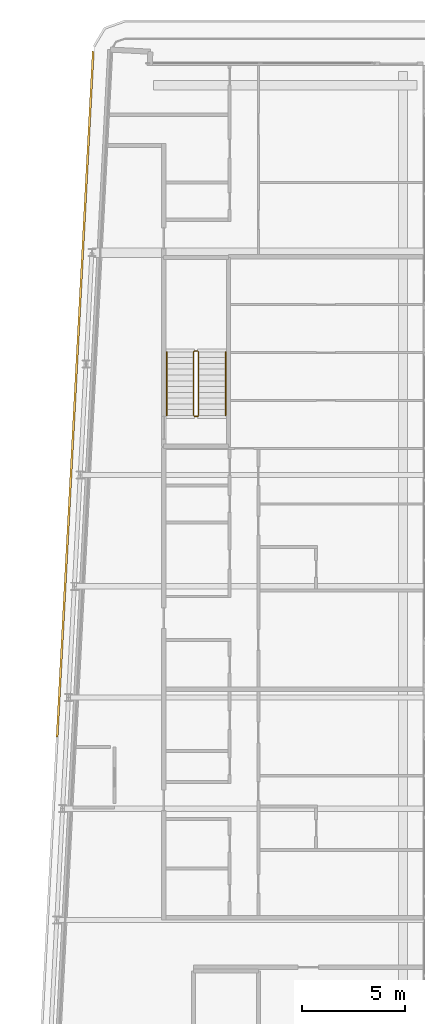
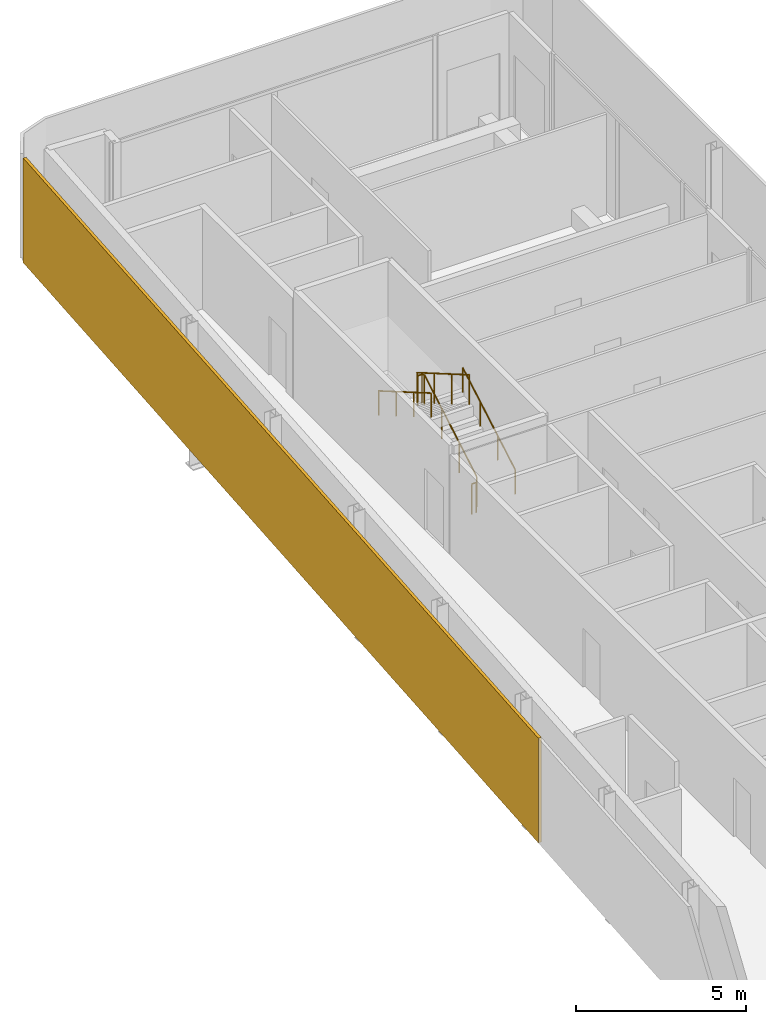
# One storey, part 16 of 18: 4 railings, 1 shading device.
"""IFC4 building model written with IfcOpenShell, lengths in metres."""

from ifc_helpers import new_model, si_unit, direction, frame, origin, origin_2d, place, context, subcontext, project, spatial, rectangle, circle, extrude, material, layer, layer_set, type_object, element, save


model = new_model("IFC4")

# Units and contexts
model_context = context("Model", 3, precision=1e-05, world=origin(), true_north=direction((0.0, 1.0)))
body_context = subcontext(model_context, "Body", "Model", "MODEL_VIEW")
ifc_project = project(units=[si_unit("LENGTHUNIT", "METRE"), si_unit("AREAUNIT", "SQUARE_METRE"), si_unit("VOLUMEUNIT", "CUBIC_METRE"), si_unit("PLANEANGLEUNIT", "RADIAN"), si_unit("MASSUNIT", "GRAM", prefix="KILO")], contexts=[model_context])

# Site, building, storey
site_placement = place(None, origin())
site = spatial("IfcSite", under=ifc_project, at=site_placement, CompositionType="ELEMENT")
building_placement = place(site_placement, origin())
building = spatial("IfcBuilding", under=site, at=building_placement, Name="Kheshtan School and Residences Tower", CompositionType="ELEMENT")
storey_placement = place(building_placement, frame((0.0, 0.0, 369.5)))
storey = spatial("IfcBuildingStorey", under=building, at=storey_placement, Name="L87", CompositionType="ELEMENT", Elevation=369.5)

# Shading device
ifc_material_1 = material(Name="Terracotta baguette, extruded ceramic", Category="masonry")
ifc_layer = layer(ifc_material_1, 0.10009765625)
ifc_layer_set = layer_set([ifc_layer], Name="Ledge screen, terracotta baguettes")
shading_device_type = type_object("IfcShadingDeviceType", Name="Ledge screen, terracotta baguettes", PredefinedType="USERDEFINED", material=ifc_layer_set)
shading_device_placement = place(storey_placement, frame((28.9990234375, 81.93408203125, 0.0), z_axis=(0.0, 0.0, 1.0), x_axis=(0.052562536748, 0.998617634398, 0.0)))
element("IfcShadingDevice", 1, at=shading_device_placement, inside=storey, type_object=shading_device_type, Name="Screen L87 5", ObjectType="BAGUETTE", PredefinedType="USERDEFINED", context=body_context, shape_type="SweptSolid", body=[
    extrude(rectangle(XDim=33.341064453125, YDim=0.10009765625, at=origin_2d()), origin(), (0.0, 0.0, 1.0), 3.75),
])

# Railings
ifc_material_2 = material(Name="Stainless steel balustrade", Category="steel")
railing_type_1 = type_object("IfcRailingType", Name="Stair guard 1100", PredefinedType="GUARDRAIL", material=ifc_material_2)
railing_1_placement = place(storey_placement, frame((35.0, 80.89990234375, 0.16259765625)))
element("IfcRailing", 2, at=railing_1_placement, inside=storey, type_object=railing_type_1, Name="L87 ST3 stair guard 1", PredefinedType="GUARDRAIL", context=body_context, shape_type="SweptSolid", body=[
    extrude(circle(Radius=0.02392578125, at=origin_2d()), frame((0.0, 0.0, 1.076171875), z_axis=(0.0, 0.864920483161, 0.501908913857), x_axis=(-1.0, 0.0, 0.0)), (0.0, 0.0, 1.0), 3.56103515625),
    extrude(circle(Radius=0.02392578125, at=origin_2d()), frame((0.0, 3.080078125, 2.86328125), z_axis=(-0.707106781187, 0.707106781187, 0.0), x_axis=(-0.707106781187, -0.707106781187, 0.0)), (0.0, 0.0, 1.0), 0.07080078125),
    extrude(circle(Radius=0.02392578125, at=origin_2d()), frame((-0.050048828125, 3.130126953125, 2.86328125), z_axis=(-1.0, 0.0, 0.0), x_axis=(0.0, -1.0, 0.0)), (0.0, 0.0, 1.0), 0.14990234375),
    extrude(circle(Radius=0.02392578125, at=origin_2d()), frame((-0.199951171875, 3.130126953125, 2.86328125), z_axis=(-0.282227285176, -0.282227285176, 0.916894497205), x_axis=(0.707106781187, -0.707106781187, 0.0)), (0.0, 0.0, 1.0), 0.17724609375),
    extrude(circle(Radius=0.02392578125, at=origin_2d()), frame((-0.25, 3.080078125, 3.02587890625), z_axis=(0.0, -0.864920483161, 0.501908913857), x_axis=(1.0, 0.0, 0.0)), (0.0, 0.0, 1.0), 3.56103515625),
    extrude(circle(Radius=0.02099609375, at=origin_2d()), origin(), (0.0, 0.0, 1.0), 1.052001953125),
    extrude(circle(Radius=0.02099609375, at=origin_2d()), frame((0.0, 1.026611328125, 0.595703125)), (0.0, 0.0, 1.0), 1.052001953125),
    extrude(circle(Radius=0.02099609375, at=origin_2d()), frame((0.0, 2.053466796875, 1.191650390625)), (0.0, 0.0, 1.0), 1.052001953125),
    extrude(circle(Radius=0.02099609375, at=origin_2d()), frame((0.0, 3.080078125, 1.787353515625)), (0.0, 0.0, 1.0), 1.052001953125),
    extrude(circle(Radius=0.02099609375, at=origin_2d()), frame((-0.050048828125, 3.130126953125, 1.787353515625)), (0.0, 0.0, 1.0), 1.052001953125),
    extrude(circle(Radius=0.02099609375, at=origin_2d()), frame((-0.199951171875, 3.130126953125, 1.787353515625)), (0.0, 0.0, 1.0), 1.052001953125),
    extrude(circle(Radius=0.02099609375, at=origin_2d()), frame((-0.25, 3.080078125, 1.949951171875)), (0.0, 0.0, 1.0), 1.052001953125),
    extrude(circle(Radius=0.02099609375, at=origin_2d()), frame((-0.25, 2.053466796875, 2.545654296875)), (0.0, 0.0, 1.0), 1.052001953125),
    extrude(circle(Radius=0.02099609375, at=origin_2d()), frame((-0.25, 1.026611328125, 3.1416015625)), (0.0, 0.0, 1.0), 1.052001953125),
    extrude(circle(Radius=0.02099609375, at=origin_2d()), frame((-0.25, 0.0, 3.7373046875)), (0.0, 0.0, 1.0), 1.052001953125),
])
railing_2_placement = place(storey_placement, frame((34.949951171875, 80.85009765625, 0.0)))
element("IfcRailing", 3, at=railing_2_placement, inside=storey, type_object=railing_type_1, Name="L87 ST3 stair guard 2", PredefinedType="GUARDRAIL", context=body_context, shape_type="SweptSolid", body=[
    extrude(circle(Radius=0.02392578125, at=origin_2d()), frame((0.0, 0.0, 1.076171875), z_axis=(-1.0, 0.0, 0.0), x_axis=(0.0, -1.0, 0.0)), (0.0, 0.0, 1.0), 0.14990234375),
    extrude(circle(Radius=0.02099609375, at=origin_2d()), origin(), (0.0, 0.0, 1.0), 1.052001953125),
    extrude(circle(Radius=0.02099609375, at=origin_2d()), frame((-0.14990234375, 0.0, 0.0)), (0.0, 0.0, 1.0), 1.052001953125),
])
ifc_material_3 = material(Name="Stainless steel handrail", Category="steel")
railing_type_2 = type_object("IfcRailingType", Name="Stair handrail 900", PredefinedType="HANDRAIL", material=ifc_material_3)
railing_3_placement = place(storey_placement, frame((36.300048828125, 80.89990234375, 0.16259765625)))
element("IfcRailing", 4, at=railing_3_placement, inside=storey, type_object=railing_type_2, Name="L87 ST3 stair handrail 1", PredefinedType="HANDRAIL", context=body_context, shape_type="SweptSolid", body=[
    extrude(circle(Radius=0.02392578125, at=origin_2d()), frame((0.0, 0.0, 0.8759765625), z_axis=(0.0, 0.864920483161, 0.501908913857), x_axis=(-1.0, 0.0, 0.0)), (0.0, 0.0, 1.0), 3.56103515625),
    extrude(circle(Radius=0.02099609375, at=origin_2d()), origin(), (0.0, 0.0, 1.0), 0.851806640625),
    extrude(circle(Radius=0.02099609375, at=origin_2d()), frame((0.0, 1.026611328125, 0.595703125)), (0.0, 0.0, 1.0), 0.851806640625),
    extrude(circle(Radius=0.02099609375, at=origin_2d()), frame((0.0, 2.053466796875, 1.191650390625)), (0.0, 0.0, 1.0), 0.851806640625),
    extrude(circle(Radius=0.02099609375, at=origin_2d()), frame((0.0, 3.080078125, 1.787353515625)), (0.0, 0.0, 1.0), 0.851806640625),
])
railing_4_placement = place(storey_placement, frame((33.449951171875, 83.97998046875, 2.112548828125)))
element("IfcRailing", 5, at=railing_4_placement, inside=storey, type_object=railing_type_2, Name="L87 ST3 stair handrail 2", PredefinedType="HANDRAIL", context=body_context, shape_type="SweptSolid", body=[
    extrude(circle(Radius=0.02392578125, at=origin_2d()), frame((0.0, 0.0, 0.8759765625), z_axis=(0.0, -0.864920483161, 0.501908913857), x_axis=(1.0, 0.0, 0.0)), (0.0, 0.0, 1.0), 3.56103515625),
    extrude(circle(Radius=0.02099609375, at=origin_2d()), origin(), (0.0, 0.0, 1.0), 0.851806640625),
    extrude(circle(Radius=0.02099609375, at=origin_2d()), frame((0.0, -1.026611328125, 0.595703125)), (0.0, 0.0, 1.0), 0.851806640625),
    extrude(circle(Radius=0.02099609375, at=origin_2d()), frame((0.0, -2.053466796875, 1.191650390625)), (0.0, 0.0, 1.0), 0.851806640625),
    extrude(circle(Radius=0.02099609375, at=origin_2d()), frame((0.0, -3.080078125, 1.787353515625)), (0.0, 0.0, 1.0), 0.851806640625),
])

save(model, "model.ifc")
